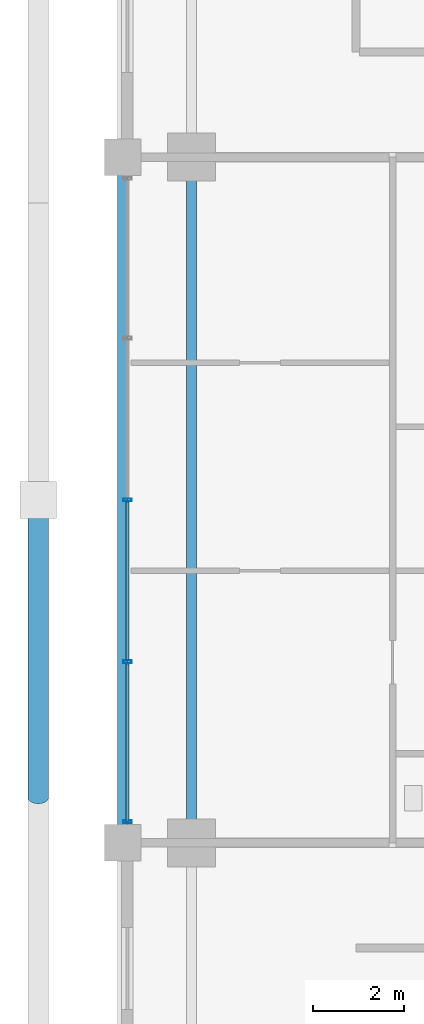
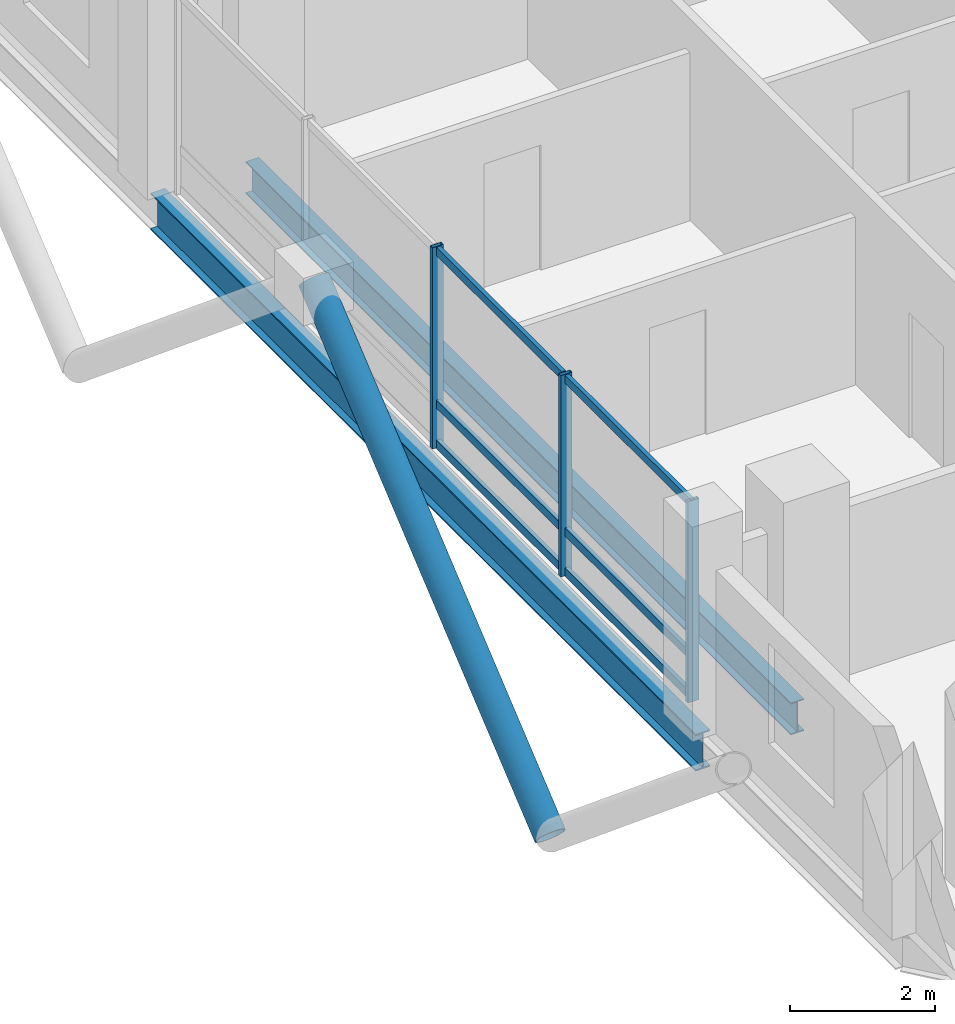
# One storey, part 6 of 24: 10 members, 2 beams, 1 element without a shape of its own.
"""IFC4 building model written with IfcOpenShell, lengths in metres."""

from ifc_helpers import new_model, si_unit, direction, frame, origin, origin_2d, place, context, subcontext, project, spatial, hollow_rectangle, hollow_circle, i_section, extrude, material, layer, layer_set, material_profile, profile_set, type_object, element, aggregate, save


model = new_model("IFC4")

# Units and contexts
model_context = context("Model", 3, precision=1e-05, world=origin(), true_north=direction((0.0, 1.0)))
body_context = subcontext(model_context, "Body", "Model", "MODEL_VIEW")
ifc_project = project(units=[si_unit("LENGTHUNIT", "METRE"), si_unit("AREAUNIT", "SQUARE_METRE"), si_unit("VOLUMEUNIT", "CUBIC_METRE"), si_unit("PLANEANGLEUNIT", "RADIAN"), si_unit("MASSUNIT", "GRAM", prefix="KILO")], contexts=[model_context])

# Site, building, storey
site_placement = place(None, origin())
site = spatial("IfcSite", under=ifc_project, at=site_placement, CompositionType="ELEMENT")
building_placement = place(site_placement, origin())
building = spatial("IfcBuilding", under=site, at=building_placement, Name="Barlavira Tower and Art Museum", CompositionType="ELEMENT")
storey_placement = place(building_placement, frame((0.0, 0.0, 183.60009765625)))
storey = spatial("IfcBuildingStorey", under=building, at=storey_placement, Name="L47", CompositionType="ELEMENT", Elevation=183.60009765625)

# Curtain wall, members
ifc_material_1 = material(Name="Low-iron coastal laminated glass", Category="glass")
ifc_layer = layer(ifc_material_1, 0.199951171875, Name="Low-iron coastal laminated glass")
ifc_layer_set = layer_set([ifc_layer], Name="Low-iron coastal laminated glass")
curtain_wall_type = type_object("IfcCurtainWallType", Name="Pale-Metal Unitised Curtain Wall Zone 3", PredefinedType="NOTDEFINED", material=ifc_layer_set)
curtain_wall_placement = place(storey_placement, origin())
curtain_wall = element("IfcCurtainWall", 1, at=curtain_wall_placement, inside=storey, type_object=curtain_wall_type, Name="L47 Curtain Wall CW3-L47-W-B3", PredefinedType="NOTDEFINED")
ifc_material_2 = material(Name="Pale anodised aluminium", Category="aluminium")
ifc_material_profile_1 = material_profile(ifc_material_2, hollow_rectangle(XDim=0.06494140625, YDim=0.179931640625, WallThickness=0.00390625, at=origin_2d()), Name="ALU-MULL 65x180x4")
ifc_profile_set_1 = profile_set([ifc_material_profile_1], Name="Pale anodised aluminium")
member_type_1 = type_object("IfcMemberType", Name="Curtain Wall Pale-Metal Mullion 65x180", PredefinedType="MULLION", material=ifc_profile_set_1)
member_1_placement = place(storey_placement, frame((-18.39990234375, 0.0, 0.0), z_axis=(0.0, 0.0, 1.0), x_axis=(0.0, -1.0, 0.0)))
member_1 = element("IfcMember", 2, at=member_1_placement, type_object=member_type_1, Name="CW3-L47-W-B3 Mullion 2", PredefinedType="MULLION", context=body_context, shape_type="SweptSolid", body=[
    extrude(hollow_rectangle(XDim=0.06494140625, YDim=0.179931640625, WallThickness=0.00390625, at=origin_2d()), origin(), (0.0, 0.0, 1.0), 3.3798828125),
])
member_2_placement = place(storey_placement, frame((-18.39990234375, -3.5400390625, 0.0), z_axis=(0.0, 0.0, 1.0), x_axis=(0.0, -1.0, 0.0)))
member_2 = element("IfcMember", 3, at=member_2_placement, type_object=member_type_1, Name="CW3-L47-W-B3 Mullion 3", PredefinedType="MULLION", context=body_context, shape_type="SweptSolid", body=[
    extrude(hollow_rectangle(XDim=0.06494140625, YDim=0.179931640625, WallThickness=0.00390625, at=origin_2d()), origin(), (0.0, 0.0, 1.0), 3.3798828125),
])
member_3_placement = place(storey_placement, frame((-18.39990234375, -7.034912109375, 0.0), z_axis=(0.0, 0.0, 1.0), x_axis=(0.0, -1.0, 0.0)))
member_3 = element("IfcMember", 4, at=member_3_placement, type_object=member_type_1, Name="CW3-L47-W-B3 Mullion 4", PredefinedType="MULLION", context=body_context, shape_type="SweptSolid", body=[
    extrude(hollow_rectangle(XDim=0.06494140625, YDim=0.179931640625, WallThickness=0.00390625, at=origin_2d()), origin(), (0.0, 0.0, 1.0), 3.3798828125),
])
ifc_material_profile_2 = material_profile(ifc_material_2, hollow_rectangle(XDim=0.06494140625, YDim=0.139892578125, WallThickness=0.00390625, at=origin_2d()), Name="ALU-TRAN 65x140x4")
ifc_profile_set_2 = profile_set([ifc_material_profile_2], Name="Pale anodised aluminium")
member_type_2 = type_object("IfcMemberType", Name="Curtain Wall Pale-Metal Transom 65x140", PredefinedType="USERDEFINED", material=ifc_profile_set_2)
member_4_placement = place(storey_placement, frame((-18.39990234375, -0.044921875, 0.06982421875), z_axis=(0.0, -1.0, 0.0), x_axis=(1.0, 0.0, 0.0)))
member_4 = element("IfcMember", 5, at=member_4_placement, type_object=member_type_2, Name="CW3-L47-W-B3 Transom 2.1", ObjectType="TRANSOM", PredefinedType="USERDEFINED", context=body_context, shape_type="SweptSolid", body=[
    extrude(hollow_rectangle(XDim=0.06494140625, YDim=0.139892578125, WallThickness=0.00390625, at=origin_2d()), origin(), (0.0, 0.0, 1.0), 3.4501953125),
])
member_5_placement = place(storey_placement, frame((-18.39990234375, -0.044921875, 0.743896484375), z_axis=(0.0, -1.0, 0.0), x_axis=(1.0, 0.0, 0.0)))
member_5 = element("IfcMember", 6, at=member_5_placement, type_object=member_type_2, Name="CW3-L47-W-B3 Transom 2.2", ObjectType="TRANSOM", PredefinedType="USERDEFINED", context=body_context, shape_type="SweptSolid", body=[
    extrude(hollow_rectangle(XDim=0.06494140625, YDim=0.139892578125, WallThickness=0.00390625, at=origin_2d()), origin(), (0.0, 0.0, 1.0), 3.4501953125),
])
member_6_placement = place(storey_placement, frame((-18.39990234375, -0.044921875, 3.309814453125), z_axis=(0.0, -1.0, 0.0), x_axis=(1.0, 0.0, 0.0)))
member_6 = element("IfcMember", 7, at=member_6_placement, type_object=member_type_2, Name="CW3-L47-W-B3 Transom 2.3", ObjectType="TRANSOM", PredefinedType="USERDEFINED", context=body_context, shape_type="SweptSolid", body=[
    extrude(hollow_rectangle(XDim=0.06494140625, YDim=0.139892578125, WallThickness=0.00390625, at=origin_2d()), origin(), (0.0, 0.0, 1.0), 3.4501953125),
])
member_7_placement = place(storey_placement, frame((-18.39990234375, -3.5849609375, 0.06982421875), z_axis=(0.0, -1.0, 0.0), x_axis=(1.0, 0.0, 0.0)))
member_7 = element("IfcMember", 8, at=member_7_placement, type_object=member_type_2, Name="CW3-L47-W-B3 Transom 3.1", ObjectType="TRANSOM", PredefinedType="USERDEFINED", context=body_context, shape_type="SweptSolid", body=[
    extrude(hollow_rectangle(XDim=0.06494140625, YDim=0.139892578125, WallThickness=0.00390625, at=origin_2d()), origin(), (0.0, 0.0, 1.0), 3.449951171875),
])
member_8_placement = place(storey_placement, frame((-18.39990234375, -3.5849609375, 0.743896484375), z_axis=(0.0, -1.0, 0.0), x_axis=(1.0, 0.0, 0.0)))
member_8 = element("IfcMember", 9, at=member_8_placement, type_object=member_type_2, Name="CW3-L47-W-B3 Transom 3.2", ObjectType="TRANSOM", PredefinedType="USERDEFINED", context=body_context, shape_type="SweptSolid", body=[
    extrude(hollow_rectangle(XDim=0.06494140625, YDim=0.139892578125, WallThickness=0.00390625, at=origin_2d()), origin(), (0.0, 0.0, 1.0), 3.449951171875),
])
member_9_placement = place(storey_placement, frame((-18.39990234375, -3.5849609375, 3.309814453125), z_axis=(0.0, -1.0, 0.0), x_axis=(1.0, 0.0, 0.0)))
member_9 = element("IfcMember", 10, at=member_9_placement, type_object=member_type_2, Name="CW3-L47-W-B3 Transom 3.3", ObjectType="TRANSOM", PredefinedType="USERDEFINED", context=body_context, shape_type="SweptSolid", body=[
    extrude(hollow_rectangle(XDim=0.06494140625, YDim=0.139892578125, WallThickness=0.00390625, at=origin_2d()), origin(), (0.0, 0.0, 1.0), 3.449951171875),
])
aggregate(curtain_wall, [member_1, member_2, member_3, member_4, member_5, member_6, member_7, member_8, member_9])

# Member
ifc_material_3 = material(Name="Steel S355", Category="steel")
ifc_material_profile_3 = material_profile(ifc_material_3, hollow_circle(Radius=0.228515625, WallThickness=0.02001953125, at=origin_2d()), Name="CHS 457.0x20.0")
ifc_profile_set_3 = profile_set([ifc_material_profile_3], Name="Steel S355")
member_type_3 = type_object("IfcMemberType", Name="Pale-Metal Exoskeleton Diagrid Tube CHS 457x20 Steel S355", PredefinedType="BRACE", material=ifc_profile_set_3)
member_10_placement = place(storey_placement, frame((-20.35009765625, -6.5, -1.920166015625), z_axis=(0.0, 0.76918185268, 0.639029950399), x_axis=(-1.0, 0.0, 0.0)))
element("IfcMember", 11, at=member_10_placement, inside=storey, type_object=member_type_3, Name="L47 Exoskeleton Diagrid Tube W", PredefinedType="BRACE", context=body_context, shape_type="SweptSolid", body=[
    extrude(hollow_circle(Radius=0.228515625, WallThickness=0.02001953125, at=origin_2d()), origin(), (0.0, 0.0, 1.0), 8.450439453125),
])

# Beams
ifc_material_profile_4 = material_profile(ifc_material_3, i_section(OverallWidth=0.22998046875, OverallDepth=0.616943359375, WebThickness=0.01318359375, FlangeThickness=0.022216796875, at=origin_2d()), Name="W610x140.0")
ifc_profile_set_4 = profile_set([ifc_material_profile_4], Name="Steel S355")
beam_type_1 = type_object("IfcBeamType", Name="Upper Shaft Spandrel Edge Beam W610x140 Steel S355", PredefinedType="SPANDREL", material=ifc_profile_set_4)
beam_1_placement = place(storey_placement, frame((-18.5, -7.5, -0.528564453125), z_axis=(0.0, 1.0, 0.0), x_axis=(-1.0, 0.0, 0.0)))
element("IfcBeam", 12, at=beam_1_placement, inside=storey, type_object=beam_type_1, Name="L47 Spandrel 14", PredefinedType="SPANDREL", context=body_context, shape_type="SweptSolid", body=[
    extrude(i_section(OverallWidth=0.22998046875, OverallDepth=0.616943359375, WebThickness=0.01318359375, FlangeThickness=0.022216796875, at=origin_2d()), origin(), (0.0, 0.0, 1.0), 15.0),
])
ifc_material_profile_5 = material_profile(ifc_material_3, i_section(OverallWidth=0.2109375, OverallDepth=0.5390625, WebThickness=0.01171875, FlangeThickness=0.018798828125, at=origin_2d()), Name="W530x109.0")
ifc_profile_set_5 = profile_set([ifc_material_profile_5], Name="Steel S355")
beam_type_2 = type_object("IfcBeamType", Name="Zone 3-4 Primary Floor Girder W530x109 Steel S355", PredefinedType="BEAM", material=ifc_profile_set_5)
beam_2_placement = place(storey_placement, frame((-17.0, -7.5, -0.489501953125), z_axis=(0.0, 1.0, 0.0), x_axis=(-1.0, 0.0, 0.0)))
element("IfcBeam", 13, at=beam_2_placement, inside=storey, type_object=beam_type_2, Name="L47 Girder M-W2", PredefinedType="BEAM", context=body_context, shape_type="SweptSolid", body=[
    extrude(i_section(OverallWidth=0.2109375, OverallDepth=0.5390625, WebThickness=0.01171875, FlangeThickness=0.018798828125, at=origin_2d()), origin(), (0.0, 0.0, 1.0), 15.0),
])

save(model, "model.ifc")
